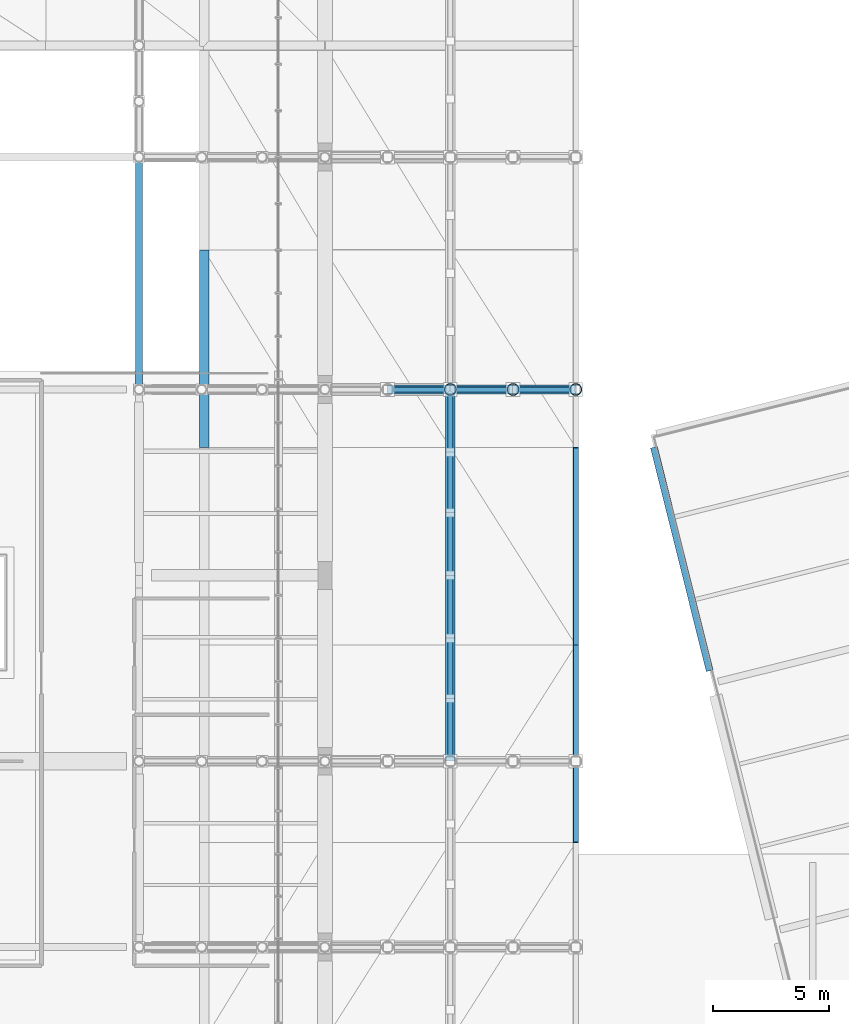
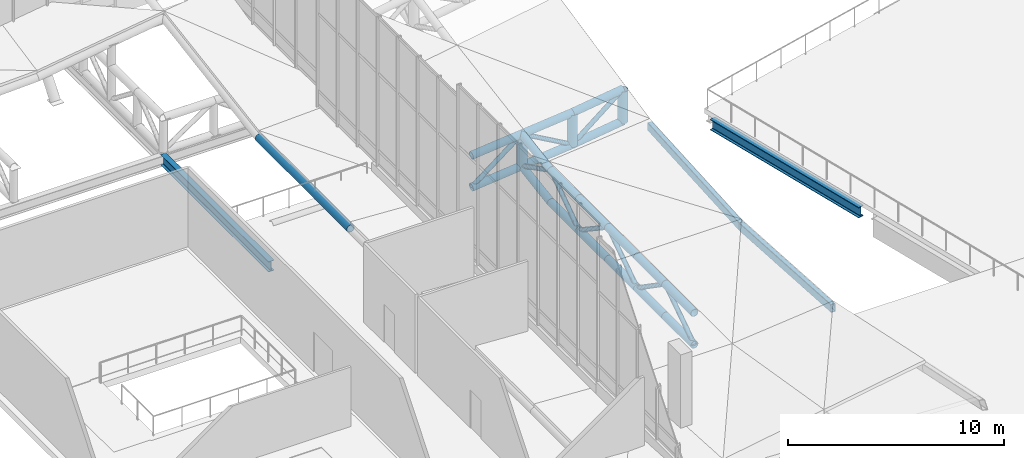
# One storey, part 84 of 137: 31 members, 4 beams.
"""IFC4 building model written with IfcOpenShell, lengths in metres."""

from ifc_helpers import new_model, si_unit, direction, frame, origin, origin_2d, place, context, subcontext, project, spatial, hollow_rectangle, hollow_circle, i_section, extrude, material, material_profile, profile_set, type_object, element, save


model = new_model("IFC4")

# Units and contexts
model_context = context("Model", 3, precision=1e-05, world=origin(), true_north=direction((0.0, 1.0)))
body_context = subcontext(model_context, "Body", "Model", "MODEL_VIEW")
ifc_project = project(units=[si_unit("LENGTHUNIT", "METRE"), si_unit("AREAUNIT", "SQUARE_METRE"), si_unit("VOLUMEUNIT", "CUBIC_METRE"), si_unit("PLANEANGLEUNIT", "RADIAN"), si_unit("MASSUNIT", "GRAM", prefix="KILO")], contexts=[model_context])

# Site, building, storey
site_placement = place(None, origin())
site = spatial("IfcSite", under=ifc_project, at=site_placement, CompositionType="ELEMENT")
building_placement = place(site_placement, origin())
building = spatial("IfcBuilding", under=site, at=building_placement, Name="Khorjan Park Terminus", CompositionType="ELEMENT")
storey_placement = place(building_placement, frame((0.0, 0.0, 11.4)))
storey = spatial("IfcBuildingStorey", under=building, at=storey_placement, Name="L02", CompositionType="ELEMENT", Elevation=11.4)

# Beams
ifc_material = material(Name="Steel S355", Category="steel")
ifc_material_profile_1 = material_profile(ifc_material, i_section(OverallWidth=0.3, OverallDepth=0.59, WebThickness=0.013, FlangeThickness=0.025, FilletRadius=0.027, at=origin_2d()), Name="HEA 600")
ifc_profile_set_1 = profile_set([ifc_material_profile_1], Name="Steel S355")
beam_type_1 = type_object("IfcBeamType", Name="BM-HEA600", PredefinedType="BEAM", material=ifc_profile_set_1)
beam_1_placement = place(storey_placement, frame((128.0, 68.0, -2.395), z_axis=(0.0, 1.0, 0.0), x_axis=(-1.0, 0.0, 0.0)))
element("IfcBeam", 1, at=beam_1_placement, inside=storey, type_object=beam_type_1, Name="Lower shell truss support girder SB-A60 (Y52)", PredefinedType="BEAM", context=body_context, shape_type="SweptSolid", body=[
    extrude(i_section(OverallWidth=0.3, OverallDepth=0.59, WebThickness=0.013, FlangeThickness=0.025, FilletRadius=0.027, at=origin_2d()), origin(), (0.0, 0.0, 1.0), 10.0),
])
ifc_material_profile_2 = material_profile(ifc_material, i_section(OverallWidth=0.3, OverallDepth=0.6, WebThickness=0.0155, FlangeThickness=0.03, FilletRadius=0.027, at=origin_2d()), Name="HEB 600")
ifc_profile_set_2 = profile_set([ifc_material_profile_2], Name="Steel S355")
beam_type_2 = type_object("IfcBeamType", Name="BM-HEB600", PredefinedType="BEAM", material=ifc_profile_set_2)
beam_2_placement = place(storey_placement, frame((152.5624, 55.8951, -0.57), z_axis=(-0.241918252798, 0.970296634521, 0.0), x_axis=(-0.970296634521, -0.241918252798, 0.0)))
element("IfcBeam", 2, at=beam_2_placement, inside=storey, type_object=beam_type_2, Name="Primary skew-grid floor girder SB-B60 (L02)", PredefinedType="BEAM", context=body_context, shape_type="SweptSolid", body=[
    extrude(i_section(OverallWidth=0.3, OverallDepth=0.6, WebThickness=0.0155, FlangeThickness=0.03, FilletRadius=0.027, at=origin_2d()), origin(), (0.0, 0.0, 1.0), 9.91),
])

# Members
ifc_material_profile_3 = material_profile(ifc_material, hollow_circle(Radius=0.1222, WallThickness=0.0125, at=origin_2d()), Name="CHS 244.5x12.5")
ifc_profile_set_3 = profile_set([ifc_material_profile_3], Name="Steel S355")
member_type_1 = type_object("IfcMemberType", Name="MB-BRE-245", PredefinedType="BRACE", material=ifc_profile_set_3)
member_1_placement = place(storey_placement, frame((138.7, 68.0, -1.68), z_axis=(0.793691517525, 0.0, 0.608320454209), x_axis=(0.0, 1.0, 0.0)))
element("IfcMember", 3, at=member_1_placement, inside=storey, type_object=member_type_1, Name="Lower shell W/E truss diagonal (E3)", PredefinedType="BRACE", context=body_context, shape_type="SweptSolid", body=[
    extrude(hollow_circle(Radius=0.1222, WallThickness=0.0125, at=origin_2d()), origin(), (0.0, 0.0, 1.0), 3.4018),
])
member_2_placement = place(storey_placement, frame((141.4, 68.0, 0.3894), z_axis=(0.869372306905, 0.0, -0.494157659039), x_axis=(0.0, 1.0, 0.0)))
element("IfcMember", 4, at=member_2_placement, inside=storey, type_object=member_type_1, Name="Lower shell W/E truss diagonal (E3)", PredefinedType="BRACE", context=body_context, shape_type="SweptSolid", body=[
    extrude(hollow_circle(Radius=0.1222, WallThickness=0.0125, at=origin_2d()), origin(), (0.0, 0.0, 1.0), 3.1057),
])
member_3_placement = place(storey_placement, frame((144.1, 68.0, -1.1453), z_axis=(0.778232633729, 0.0, 0.627976088557), x_axis=(0.0, 1.0, 0.0)))
element("IfcMember", 5, at=member_3_placement, inside=storey, type_object=member_type_1, Name="Lower shell W/E truss diagonal (E3)", PredefinedType="BRACE", context=body_context, shape_type="SweptSolid", body=[
    extrude(hollow_circle(Radius=0.1222, WallThickness=0.0125, at=origin_2d()), origin(), (0.0, 0.0, 1.0), 3.4694),
])
member_4_placement = place(storey_placement, frame((141.4, 52.0, -1.828), z_axis=(0.0, 0.832050294338, 0.554700196225), x_axis=(-1.0, 0.0, 0.0)))
element("IfcMember", 6, at=member_4_placement, inside=storey, type_object=member_type_1, Name="Lower shell mid-ring diagonal (E15)", PredefinedType="BRACE", context=body_context, shape_type="SweptSolid", body=[
    extrude(hollow_circle(Radius=0.1222, WallThickness=0.0125, at=origin_2d()), origin(), (0.0, 0.0, 1.0), 3.245),
])
member_5_placement = place(storey_placement, frame((141.4, 54.7, -0.028), z_axis=(0.0, 0.822192191644, -0.56920997883), x_axis=(-1.0, 0.0, 0.0)))
element("IfcMember", 7, at=member_5_placement, inside=storey, type_object=member_type_1, Name="Lower shell mid-ring diagonal (E16)", PredefinedType="BRACE", context=body_context, shape_type="SweptSolid", body=[
    extrude(hollow_circle(Radius=0.1222, WallThickness=0.0125, at=origin_2d()), origin(), (0.0, 0.0, 1.0), 3.1623),
])
for number, where, z_axis, x_axis, name in (
    (8, (141.4, 57.3, -1.828), (0.0, 0.832050294338, 0.554700196225), (-1.0, 0.0, 0.0), "Lower shell mid-ring diagonal (E17)"),
    (9, (141.4, 60.0, -0.028), (0.0, 0.832050294338, -0.554700196225), (-1.0, 0.0, 0.0), "Lower shell mid-ring diagonal (E18)"),
):
    element("IfcMember", number, at=place(storey_placement, frame(where, z_axis=z_axis, x_axis=x_axis)), inside=storey, type_object=member_type_1, Name=name, PredefinedType="BRACE", context=body_context, shape_type="SweptSolid", body=[
        extrude(hollow_circle(Radius=0.1222, WallThickness=0.0125, at=origin_2d()), origin(), (0.0, 0.0, 1.0), 3.245),
    ])
member_6_placement = place(storey_placement, frame((141.4, 62.7, -1.828), z_axis=(0.0, 0.822192191644, 0.56920997883), x_axis=(-1.0, 0.0, 0.0)))
element("IfcMember", 10, at=member_6_placement, inside=storey, type_object=member_type_1, Name="Lower shell mid-ring diagonal (E19)", PredefinedType="BRACE", context=body_context, shape_type="SweptSolid", body=[
    extrude(hollow_circle(Radius=0.1222, WallThickness=0.0125, at=origin_2d()), origin(), (0.0, 0.0, 1.0), 3.1623),
])
member_7_placement = place(storey_placement, frame((141.4, 65.3, -0.028), z_axis=(0.0, 0.890087077474, -0.455790516043), x_axis=(-1.0, 0.0, 0.0)))
element("IfcMember", 11, at=member_7_placement, inside=storey, type_object=member_type_1, Name="Lower shell mid-ring diagonal (E20)", PredefinedType="BRACE", context=body_context, shape_type="SweptSolid", body=[
    extrude(hollow_circle(Radius=0.1222, WallThickness=0.0125, at=origin_2d()), origin(), (0.0, 0.0, 1.0), 3.0334),
])
ifc_material_profile_4 = material_profile(ifc_material, hollow_circle(Radius=0.2032, WallThickness=0.016, at=origin_2d()), Name="CHS 406.4x16")
ifc_profile_set_4 = profile_set([ifc_material_profile_4], Name="Steel S355")
member_type_2 = type_object("IfcMemberType", Name="MB-CH-406", PredefinedType="CHORD", material=ifc_profile_set_4)
member_8_placement = place(storey_placement, frame((130.8, 65.5, 0.266), z_axis=(0.0, 1.0, 0.0), x_axis=(-1.0, 0.0, 0.0)))
element("IfcMember", 12, at=member_8_placement, inside=storey, type_object=member_type_2, Name="Lower wrapping shell rim chord (145)", PredefinedType="CHORD", context=body_context, shape_type="SweptSolid", body=[
    extrude(hollow_circle(Radius=0.2032, WallThickness=0.016, at=origin_2d()), origin(), (0.0, 0.0, 1.0), 8.5),
])
ifc_material_profile_5 = material_profile(ifc_material, hollow_circle(Radius=0.2032, WallThickness=0.016, at=origin_2d()), Name="CHS 406.4x16")
ifc_profile_set_5 = profile_set([ifc_material_profile_5], Name="Steel S355")
member_type_3 = type_object("IfcMemberType", Name="MB-CHE-406", PredefinedType="CHORD", material=ifc_profile_set_5)
for number, where, z_axis, x_axis, name in (
    (13, (138.7, 68.0, 0.12), (0.995059059613, 0.0, 0.099284781726), (0.0, 1.0, 0.0), "Lower shell W/E truss top chord (E3)"),
    (14, (138.7, 68.0, -1.68), (0.995059059613, 0.0, 0.099284781726), (0.0, 1.0, 0.0), "Lower shell W/E truss bottom chord (E3)"),
):
    element("IfcMember", number, at=place(storey_placement, frame(where, z_axis=z_axis, x_axis=x_axis)), inside=storey, type_object=member_type_3, Name=name, PredefinedType="CHORD", context=body_context, shape_type="SweptSolid", body=[
        extrude(hollow_circle(Radius=0.2032, WallThickness=0.016, at=origin_2d()), origin(), (0.0, 0.0, 1.0), 2.7134),
    ])
for number, where, z_axis, x_axis, name in (
    (15, (141.4, 68.0, 0.3894), (0.995207236372, 0.0, 0.097788325855), (0.0, 1.0, 0.0), "Lower shell W/E truss top chord (E3)"),
    (16, (141.4, 68.0, -1.4106), (0.995207236372, 0.0, 0.097788325855), (0.0, 1.0, 0.0), "Lower shell W/E truss bottom chord (E3)"),
):
    element("IfcMember", number, at=place(storey_placement, frame(where, z_axis=z_axis, x_axis=x_axis)), inside=storey, type_object=member_type_3, Name=name, PredefinedType="CHORD", context=body_context, shape_type="SweptSolid", body=[
        extrude(hollow_circle(Radius=0.2032, WallThickness=0.016, at=origin_2d()), origin(), (0.0, 0.0, 1.0), 2.713),
    ])
for number, where, z_axis, x_axis, name in (
    (17, (144.1, 68.0, 0.6547), (0.990306461172, 0.0, 0.138899650684), (0.0, 1.0, 0.0), "Lower shell W/E truss top chord (E3)"),
    (18, (144.1, 68.0, -1.1453), (0.990306461172, 0.0, 0.138899650684), (0.0, 1.0, 0.0), "Lower shell W/E truss bottom chord (E3)"),
):
    element("IfcMember", number, at=place(storey_placement, frame(where, z_axis=z_axis, x_axis=x_axis)), inside=storey, type_object=member_type_3, Name=name, PredefinedType="CHORD", context=body_context, shape_type="SweptSolid", body=[
        extrude(hollow_circle(Radius=0.2032, WallThickness=0.016, at=origin_2d()), origin(), (0.0, 0.0, 1.0), 2.7264),
    ])
for number, where, z_axis, x_axis, name in (
    (19, (141.4, 52.0, -0.028), (0.0, 1.0, 0.0), (-1.0, 0.0, 0.0), "Lower shell mid-ring top chord (E15)"),
    (20, (141.4, 52.0, -1.828), (0.0, 1.0, 0.0), (-1.0, 0.0, 0.0), "Lower shell mid-ring bottom chord (E15)"),
):
    element("IfcMember", number, at=place(storey_placement, frame(where, z_axis=z_axis, x_axis=x_axis)), inside=storey, type_object=member_type_3, Name=name, PredefinedType="CHORD", context=body_context, shape_type="SweptSolid", body=[
        extrude(hollow_circle(Radius=0.2032, WallThickness=0.016, at=origin_2d()), origin(), (0.0, 0.0, 1.0), 2.7),
    ])
for number, where, z_axis, x_axis, name in (
    (21, (141.4, 54.7, -0.028), (0.0, 1.0, 0.0), (-1.0, 0.0, 0.0), "Lower shell mid-ring top chord (E16)"),
    (22, (141.4, 54.7, -1.828), (0.0, 1.0, 0.0), (-1.0, 0.0, 0.0), "Lower shell mid-ring bottom chord (E16)"),
):
    element("IfcMember", number, at=place(storey_placement, frame(where, z_axis=z_axis, x_axis=x_axis)), inside=storey, type_object=member_type_3, Name=name, PredefinedType="CHORD", context=body_context, shape_type="SweptSolid", body=[
        extrude(hollow_circle(Radius=0.2032, WallThickness=0.016, at=origin_2d()), origin(), (0.0, 0.0, 1.0), 2.6),
    ])
for number, where, z_axis, x_axis, name in (
    (23, (141.4, 57.3, -0.028), (0.0, 1.0, 0.0), (-1.0, 0.0, 0.0), "Lower shell mid-ring top chord (E17)"),
    (24, (141.4, 57.3, -1.828), (0.0, 1.0, 0.0), (-1.0, 0.0, 0.0), "Lower shell mid-ring bottom chord (E17)"),
    (25, (141.4, 60.0, -0.028), (0.0, 1.0, 0.0), (-1.0, 0.0, 0.0), "Lower shell mid-ring top chord (E18)"),
    (26, (141.4, 60.0, -1.828), (0.0, 1.0, 0.0), (-1.0, 0.0, 0.0), "Lower shell mid-ring bottom chord (E18)"),
):
    element("IfcMember", number, at=place(storey_placement, frame(where, z_axis=z_axis, x_axis=x_axis)), inside=storey, type_object=member_type_3, Name=name, PredefinedType="CHORD", context=body_context, shape_type="SweptSolid", body=[
        extrude(hollow_circle(Radius=0.2032, WallThickness=0.016, at=origin_2d()), origin(), (0.0, 0.0, 1.0), 2.7),
    ])
for number, where, z_axis, x_axis, name in (
    (27, (141.4, 62.7, -0.028), (0.0, 1.0, 0.0), (-1.0, 0.0, 0.0), "Lower shell mid-ring top chord (E19)"),
    (28, (141.4, 62.7, -1.828), (0.0, 1.0, 0.0), (-1.0, 0.0, 0.0), "Lower shell mid-ring bottom chord (E19)"),
):
    element("IfcMember", number, at=place(storey_placement, frame(where, z_axis=z_axis, x_axis=x_axis)), inside=storey, type_object=member_type_3, Name=name, PredefinedType="CHORD", context=body_context, shape_type="SweptSolid", body=[
        extrude(hollow_circle(Radius=0.2032, WallThickness=0.016, at=origin_2d()), origin(), (0.0, 0.0, 1.0), 2.6),
    ])
for number, where, z_axis, x_axis, name in (
    (29, (141.4, 65.3, -0.028), (0.0, 0.988260570351, 0.152777763728), (-1.0, 0.0, 0.0), "Lower shell mid-ring top chord (E20)"),
    (30, (141.4, 65.3, -1.828), (0.0, 0.988260570351, 0.152777763728), (-1.0, 0.0, 0.0), "Lower shell mid-ring bottom chord (E20)"),
):
    element("IfcMember", number, at=place(storey_placement, frame(where, z_axis=z_axis, x_axis=x_axis)), inside=storey, type_object=member_type_3, Name=name, PredefinedType="CHORD", context=body_context, shape_type="SweptSolid", body=[
        extrude(hollow_circle(Radius=0.2032, WallThickness=0.016, at=origin_2d()), origin(), (0.0, 0.0, 1.0), 2.7321),
    ])
ifc_material_profile_6 = material_profile(ifc_material, hollow_circle(Radius=0.254, WallThickness=0.02, at=origin_2d()), Name="CHS 508x20")
ifc_profile_set_6 = profile_set([ifc_material_profile_6], Name="Steel S355")
member_type_4 = type_object("IfcMemberType", Name="MB-STE-508", PredefinedType="STRUT", material=ifc_profile_set_6)
for number, where, z_axis, x_axis, name in (
    (31, (141.4, 68.0, -1.4106), (0.0, 0.0, 1.0), (1.0, 0.0, 0.0), "Lower shell W/E truss post (E3)"),
    (32, (144.1, 68.0, -1.1453), (0.0, 0.0, 1.0), (1.0, 0.0, 0.0), "Lower shell W/E truss post (E3)"),
    (33, (146.8, 68.0, -0.7666), (0.0, 0.0, 1.0), (1.0, 0.0, 0.0), "Lower shell W/E truss post (E3)"),
):
    element("IfcMember", number, at=place(storey_placement, frame(where, z_axis=z_axis, x_axis=x_axis)), inside=storey, type_object=member_type_4, Name=name, PredefinedType="STRUT", context=body_context, shape_type="SweptSolid", body=[
        extrude(hollow_circle(Radius=0.254, WallThickness=0.02, at=origin_2d()), origin(), (0.0, 0.0, 1.0), 1.8),
    ])

# Beams
ifc_material_profile_7 = material_profile(ifc_material, hollow_rectangle(XDim=0.25, YDim=0.45, WallThickness=0.016, InnerFilletRadius=0.016, OuterFilletRadius=0.032, at=origin_2d()), Name="RHS 450x250x16")
ifc_profile_set_7 = profile_set([ifc_material_profile_7], Name="Steel S355")
beam_type_3 = type_object("IfcBeamType", Name="SP-RHS450", PredefinedType="SPANDREL", material=ifc_profile_set_7)
for number, where, z_axis, x_axis, name in (
    (34, (146.8, 48.5, 0.4807), (0.0, 0.998056596963, -0.062313957177), (-1.0, 0.0, 0.0), "Lower wrapping shell upturned edge beam SP-R45 (50)"),
    (35, (146.8, 57.0, -0.05), (0.0, 0.998056596963, 0.062313957177), (-1.0, 0.0, 0.0), "Lower wrapping shell upturned edge beam SP-R45 (51)"),
):
    element("IfcBeam", number, at=place(storey_placement, frame(where, z_axis=z_axis, x_axis=x_axis)), inside=storey, type_object=beam_type_3, Name=name, PredefinedType="SPANDREL", context=body_context, shape_type="SweptSolid", body=[
        extrude(hollow_rectangle(XDim=0.25, YDim=0.45, WallThickness=0.016, InnerFilletRadius=0.016, OuterFilletRadius=0.032, at=origin_2d()), origin(), (0.0, 0.0, 1.0), 8.5166),
    ])

save(model, "model.ifc")
